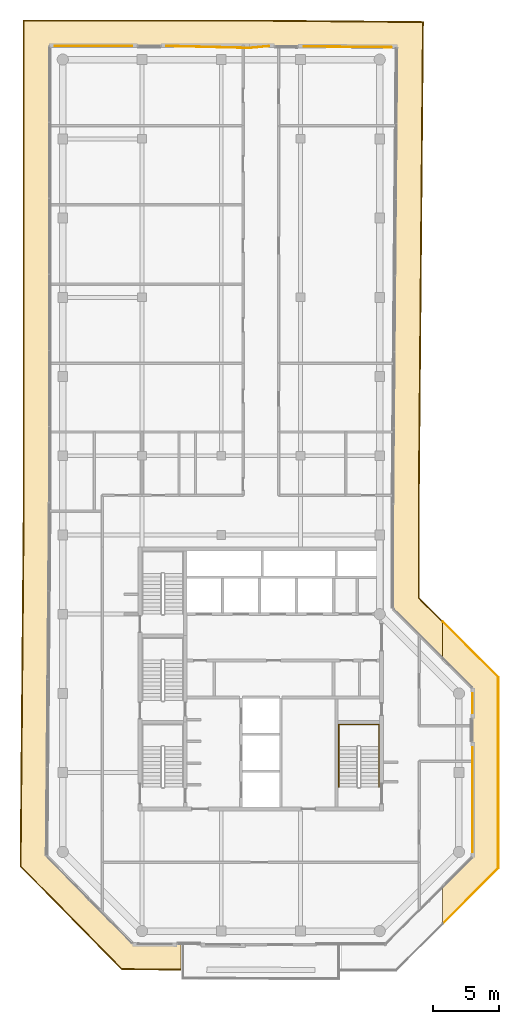
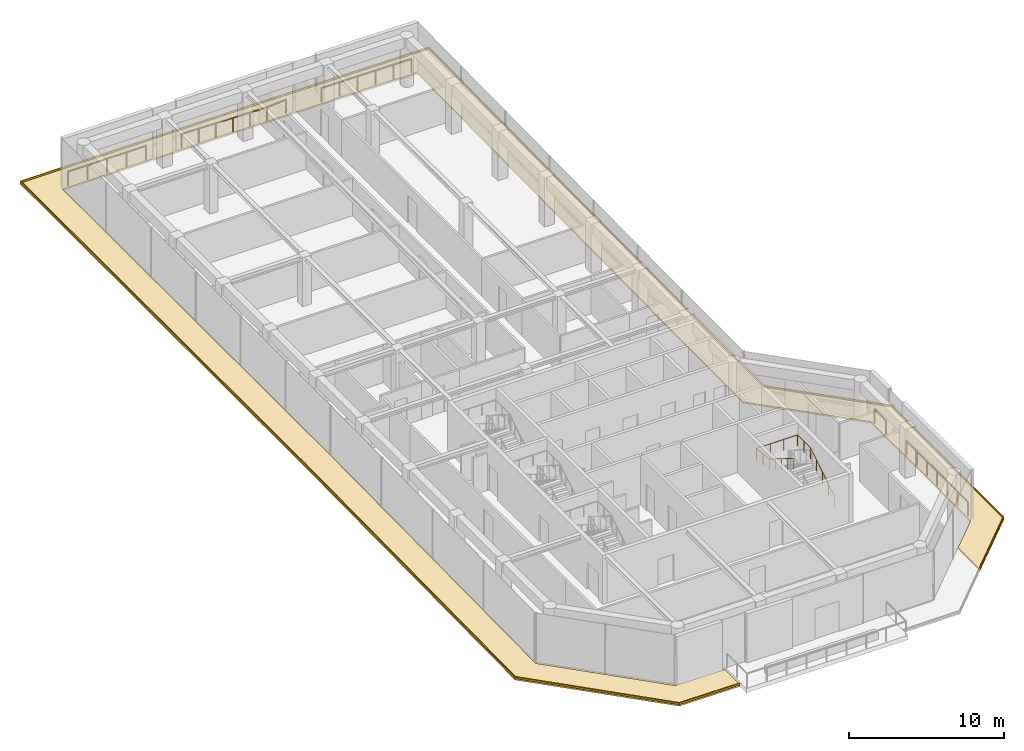
# One storey, part 18 of 18: 6 railings, 4 coverings.
"""IFC4 building model written with IfcOpenShell, lengths in metres."""

import ifcopenshell
import ifcopenshell.guid

model = None  # the IFC model being written
_history = None  # IfcOwnerHistory: only IFC2X3 demands one
_inside = {}  # id of a spatial element -> (the spatial element, [elements in it])
_under = {}  # id of a project, library or spatial element -> (it, [spatial elements below it])
_declared = {}  # id of a project -> (the project, [libraries it declares])
_typed = {}  # id of a type object -> (the type object, [elements of that type])
_made_of = {}  # id of a material, layer set ... -> (it, [elements and type objects made of it])


def new_model(schema):
    """Start an empty IFC model of exactly this schema.

    Asked for "IFC4X3", IfcOpenShell would pick the latest addendum, in which some entities
    have other attributes; the version numbers below select the first issue.
    IFC2X3 requires an IfcOwnerHistory on every rooted entity: one is made here for all.
    """
    global model, _history
    if schema == "IFC4X3":
        model = ifcopenshell.file(schema_version=(4, 3, 0, 0))
    else:
        model = ifcopenshell.file(schema=schema)
    _inside.clear()
    _under.clear()
    _declared.clear()
    _typed.clear()
    _made_of.clear()
    _history = None
    if model.schema == "IFC2X3":
        org = make("IfcOrganization", Name="unknown")
        user = make(
            "IfcPersonAndOrganization",
            ThePerson=make("IfcPerson", FamilyName="unknown"),
            TheOrganization=org,
        )
        app = make(
            "IfcApplication",
            ApplicationDeveloper=org,
            Version="unknown",
            ApplicationFullName="unknown",
            ApplicationIdentifier="unknown",
        )
        _history = make(
            "IfcOwnerHistory",
            OwningUser=user,
            OwningApplication=app,
            ChangeAction="ADDED",
            CreationDate=0,
        )
    return model


def make(cls, **values):
    """One entity of the class cls with the attributes given. An attribute that is None is left unset."""
    return model.create_entity(
        cls, **{name: value for name, value in values.items() if value is not None}
    )


def rooted(cls, **values):
    """An entity with a GlobalId (a new one), such as an element, a storey or a relation."""
    return make(cls, GlobalId=ifcopenshell.guid.new(), OwnerHistory=_history, **values)


def si_unit(unit_type, name, prefix=None):
    """IfcSIUnit, for example si_unit("LENGTHUNIT", "METRE", prefix="MILLI")."""
    return make("IfcSIUnit", UnitType=unit_type, Prefix=prefix, Name=name)


def assignment(units):
    """IfcUnitAssignment: the units of a project."""
    return None if units is None else make("IfcUnitAssignment", Units=units)


def point(xyz):
    """IfcCartesianPoint."""
    return None if xyz is None else make("IfcCartesianPoint", Coordinates=xyz)


def direction(xyz):
    """IfcDirection."""
    return None if xyz is None else make("IfcDirection", DirectionRatios=xyz)


def frame(location, z_axis=None, x_axis=None):
    """IfcAxis2Placement3D, a coordinate frame: its origin and axes. An axis left out is left unset."""
    return make(
        "IfcAxis2Placement3D",
        Location=point(location),
        Axis=direction(z_axis),
        RefDirection=direction(x_axis),
    )


def frame_2d(location, x_axis=None):
    """IfcAxis2Placement2D, a coordinate frame in the plane: its origin and x axis."""
    return make(
        "IfcAxis2Placement2D", Location=point(location), RefDirection=direction(x_axis)
    )


def origin():
    """The frame at (0, 0, 0) with its axes left unset."""
    return frame((0.0, 0.0, 0.0))


def origin_2d():
    """The frame at (0, 0) in the plane with its x axis left unset."""
    return frame_2d((0.0, 0.0))


def place(relative_to, where):
    """IfcLocalPlacement: puts the frame where relative to a parent placement (None: the world)."""
    return make(
        "IfcLocalPlacement", PlacementRelTo=relative_to, RelativePlacement=where
    )


def context(
    kind, dimensions, precision=None, world=None, true_north=None, identifier=None
):
    """IfcGeometricRepresentationContext, for example the 3D "Model" context."""
    return make(
        "IfcGeometricRepresentationContext",
        ContextIdentifier=identifier,
        ContextType=kind,
        CoordinateSpaceDimension=dimensions,
        Precision=precision,
        WorldCoordinateSystem=world,
        TrueNorth=true_north,
    )


def subcontext(parent, identifier, kind, view, scale=None):
    """IfcGeometricRepresentationSubContext, for example "Body" below "Model"."""
    return make(
        "IfcGeometricRepresentationSubContext",
        ContextIdentifier=identifier,
        ContextType=kind,
        ParentContext=parent,
        TargetScale=scale,
        TargetView=view,
    )


def project(units=None, contexts=None):
    """IfcProject with its units and contexts."""
    return rooted(
        "IfcProject",
        Name="project",
        RepresentationContexts=contexts,
        UnitsInContext=assignment(units),
    )


def spatial(cls, under=None, at=None, **own):
    """A site, building, storey or space (cls), placed at a placement, below another one or the project."""
    s = rooted(cls, ObjectPlacement=at, **own)
    if under is not None:
        _under.setdefault(under.id(), (under, []))[1].append(s)
    return s


def polyline(points):
    """IfcPolyline through the points."""
    return make("IfcPolyline", Points=[point(p) for p in points])


def profile(cls, at=None, kind="AREA", **sizes):
    """A parametric profile (cls). Its sizes go by their IFC names, for example OverallWidth=200.0."""
    return make(cls, ProfileType=kind, Position=at, **sizes)


def circle(**sizes):
    """IfcCircleProfileDef."""
    return profile("IfcCircleProfileDef", **sizes)


def outline(outer, holes=None, kind="AREA"):
    """IfcArbitraryClosedProfileDef: a profile drawn as a closed curve; with holes, ...WithVoids."""
    if holes is None:
        return make("IfcArbitraryClosedProfileDef", ProfileType=kind, OuterCurve=outer)
    return make(
        "IfcArbitraryProfileDefWithVoids",
        ProfileType=kind,
        OuterCurve=outer,
        InnerCurves=holes,
    )


def extrude(swept, where, along, depth):
    """IfcExtrudedAreaSolid: the profile swept, set in the frame where, extruded along a direction by depth."""
    return make(
        "IfcExtrudedAreaSolid",
        SweptArea=swept,
        Position=where,
        ExtrudedDirection=direction(along),
        Depth=depth,
    )


def shape(context_of_items, identifier, shape_type, items):
    """IfcShapeRepresentation: the items that make up one representation, for example the "Body"."""
    return make(
        "IfcShapeRepresentation",
        ContextOfItems=context_of_items,
        RepresentationIdentifier=identifier,
        RepresentationType=shape_type,
        Items=items,
    )


def material(Name=None, Category=None):
    """IfcMaterial."""
    return make("IfcMaterial", Name=Name, Category=Category)


def layer(
    of_material, thickness, ventilated=None, Name=None, Category=None, Priority=None
):
    """IfcMaterialLayer: one layer of a wall or slab, of a material (None: an air gap)."""
    return make(
        "IfcMaterialLayer",
        Material=of_material,
        LayerThickness=thickness,
        IsVentilated=ventilated,
        Name=Name,
        Category=Category,
        Priority=Priority,
    )


def layer_set(layers, Name=None):
    """IfcMaterialLayerSet."""
    return make("IfcMaterialLayerSet", MaterialLayers=layers, LayerSetName=Name)


def made_of(thing, what):
    """Note that an element or type object is made of a material, layer set ...; save() writes the relation."""
    if what is not None:
        _made_of.setdefault(what.id(), (what, []))[1].append(thing)
    return thing


def type_object(cls, material=None, **own):
    """A type object (cls), such as IfcWallType, which elements share."""
    return made_of(rooted(cls, **own), material)


def element(
    cls,
    number,
    at=None,
    inside=None,
    cuts=None,
    type_object=None,
    material=None,
    context=None,
    identifier="Body",
    shape_type=None,
    held_by="IfcProductDefinitionShape",
    body=None,
    shapes=None,
    **own,
):
    """One element of the class cls, such as IfcWall. Its Tag is "e" and its number.

    at: its placement. inside: the storey or other place that contains it. cuts: it is an
    opening in that element (IfcRelVoidsElement). A single representation is given by context,
    identifier, shape_type and body (its items); several are given by shapes. held_by: the class
    of the entity that holds the representations. save() writes the other relations.
    """
    e = rooted(cls, Tag="e%d" % number, ObjectPlacement=at, **own)
    if body is not None:
        shapes = [shape(context, identifier, shape_type, body)]
    if shapes is not None:
        e.Representation = make(held_by, Representations=shapes)
    if inside is not None:
        _inside.setdefault(inside.id(), (inside, []))[1].append(e)
    if cuts is not None:
        rooted(
            "IfcRelVoidsElement", RelatingBuildingElement=cuts, RelatedOpeningElement=e
        )
    if type_object is not None:
        _typed.setdefault(type_object.id(), (type_object, []))[1].append(e)
    return made_of(e, material)


def aggregate(whole, parts):
    """IfcRelAggregates: a whole, such as a stair, and the parts it consists of."""
    return rooted("IfcRelAggregates", RelatingObject=whole, RelatedObjects=parts)


def save(model, path):
    """Write the relations noted so far, then the file.

    IfcRelAggregates (storeys below a building ...), IfcRelContainedInSpatialStructure (elements
    in a storey), IfcRelDefinesByType, IfcRelAssociatesMaterial and IfcRelDeclares: one each for
    every whole, place, type object, material and project.
    """
    for whole, parts in _under.values():
        aggregate(whole, parts)
    for where, things in _inside.values():
        rooted(
            "IfcRelContainedInSpatialStructure",
            RelatedElements=things,
            RelatingStructure=where,
        )
    for kind, things in _typed.values():
        rooted("IfcRelDefinesByType", RelatedObjects=things, RelatingType=kind)
    for what, things in _made_of.values():
        rooted("IfcRelAssociatesMaterial", RelatedObjects=things, RelatingMaterial=what)
    for by, libraries in _declared.values():
        rooted("IfcRelDeclares", RelatingContext=by, RelatedDefinitions=libraries)
    model.write(path)


model = new_model("IFC4")

# Units and contexts
model_context = context("Model", 3, precision=1e-05, world=origin(), true_north=direction((0.0, 1.0)))
body_context = subcontext(model_context, "Body", "Model", "MODEL_VIEW")
ifc_project = project(units=[si_unit("LENGTHUNIT", "METRE"), si_unit("AREAUNIT", "SQUARE_METRE"), si_unit("VOLUMEUNIT", "CUBIC_METRE"), si_unit("PLANEANGLEUNIT", "RADIAN"), si_unit("MASSUNIT", "GRAM", prefix="KILO")], contexts=[model_context])

# Site, building, storey
site_placement = place(None, origin())
site = spatial("IfcSite", under=ifc_project, at=site_placement, CompositionType="ELEMENT")
building_placement = place(site_placement, origin())
building = spatial("IfcBuilding", under=site, at=building_placement, Name="Welwitschia Terrace Campus", CompositionType="ELEMENT")
storey_placement = place(building_placement, frame((0.0, 0.0, 285.199951171875)))
storey = spatial("IfcBuildingStorey", under=building, at=storey_placement, Name="L63", CompositionType="ELEMENT", Elevation=285.199951171875)

# Railings
ifc_material_1 = material(Name="Stainless steel grade 316", Category="steel")
railing_type_1 = type_object("IfcRailingType", Name="Guard 1100", PredefinedType="GUARDRAIL", material=ifc_material_1)
railing_1_placement = place(storey_placement, frame((-0.580078125, 63.030029296875, 0.0)))
element("IfcRailing", 1, at=railing_1_placement, inside=storey, type_object=railing_type_1, Name="Guard floor edge L63.0", PredefinedType="GUARDRAIL", context=body_context, shape_type="SweptSolid", body=[
    extrude(circle(Radius=0.02392578125, at=origin_2d()), frame((0.0, 0.0, 1.076171875), z_axis=(1.0, 0.0, 0.0), x_axis=(0.0, 1.0, 0.0)), (0.0, 0.0, 1.0), 5.803466796875),
    extrude(circle(Radius=0.02099609375, at=origin_2d()), origin(), (0.0, 0.0, 1.0), 1.052001953125),
    extrude(circle(Radius=0.02099609375, at=origin_2d()), frame((1.450927734375, 0.0, 0.0)), (0.0, 0.0, 1.0), 1.052001953125),
    extrude(circle(Radius=0.02099609375, at=origin_2d()), frame((2.90185546875, 0.0, 0.0)), (0.0, 0.0, 1.0), 1.052001953125),
    extrude(circle(Radius=0.02099609375, at=origin_2d()), frame((4.3525390625, 0.0, 0.0)), (0.0, 0.0, 1.0), 1.052001953125),
    extrude(circle(Radius=0.02099609375, at=origin_2d()), frame((5.803466796875, 0.0, 0.0)), (0.0, 0.0, 1.0), 1.052001953125),
])
railing_2_placement = place(storey_placement, frame((7.870849609375, 63.030029296875, 0.0)))
element("IfcRailing", 2, at=railing_2_placement, inside=storey, type_object=railing_type_1, Name="Guard floor edge L63.2", PredefinedType="GUARDRAIL", context=body_context, shape_type="SweptSolid", body=[
    extrude(circle(Radius=0.02392578125, at=origin_2d()), frame((0.0, 0.0, 1.076171875), z_axis=(0.999711809678, -0.024006199014, 0.0), x_axis=(0.024006199014, 0.999711809678, 0.0)), (0.0, 0.0, 1.0), 6.25439453125),
    extrude(circle(Radius=0.02392578125, at=origin_2d()), frame((6.252685546875, -0.150146484375, 1.076171875), z_axis=(0.995723048446, 0.092388369362, 0.0), x_axis=(-0.092388369362, 0.995723048446, 0.0)), (0.0, 0.0, 1.0), 1.485107421875),
    extrude(circle(Radius=0.02099609375, at=origin_2d()), origin(), (0.0, 0.0, 1.0), 1.052001953125),
    extrude(circle(Radius=0.02099609375, at=origin_2d()), frame((1.25048828125, -0.030029296875, 0.0)), (0.0, 0.0, 1.0), 1.052001953125),
    extrude(circle(Radius=0.02099609375, at=origin_2d()), frame((2.5009765625, -0.06005859375, 0.0)), (0.0, 0.0, 1.0), 1.052001953125),
    extrude(circle(Radius=0.02099609375, at=origin_2d()), frame((3.751708984375, -0.090087890625, 0.0)), (0.0, 0.0, 1.0), 1.052001953125),
    extrude(circle(Radius=0.02099609375, at=origin_2d()), frame((5.002197265625, -0.1201171875, 0.0)), (0.0, 0.0, 1.0), 1.052001953125),
    extrude(circle(Radius=0.02099609375, at=origin_2d()), frame((6.252685546875, -0.150146484375, 0.0)), (0.0, 0.0, 1.0), 1.052001953125),
    extrude(circle(Radius=0.02099609375, at=origin_2d()), frame((7.7314453125, -0.012939453125, 0.0)), (0.0, 0.0, 1.0), 1.052001953125),
])
railing_3_placement = place(storey_placement, frame((18.249755859375, 62.993896484375, 0.0)))
element("IfcRailing", 3, at=railing_3_placement, inside=storey, type_object=railing_type_1, Name="Guard floor edge L63.4", PredefinedType="GUARDRAIL", context=body_context, shape_type="SweptSolid", body=[
    extrude(circle(Radius=0.02392578125, at=origin_2d()), frame((0.0, 0.0, 1.076171875), z_axis=(0.999961944057, -0.008724129606, 0.0), x_axis=(0.008724129606, 0.999961944057, 0.0)), (0.0, 0.0, 1.0), 6.63232421875),
    extrude(circle(Radius=0.02099609375, at=origin_2d()), origin(), (0.0, 0.0, 1.0), 1.052001953125),
    extrude(circle(Radius=0.02099609375, at=origin_2d()), frame((1.326416015625, -0.011474609375, 0.0)), (0.0, 0.0, 1.0), 1.052001953125),
    extrude(circle(Radius=0.02099609375, at=origin_2d()), frame((2.65283203125, -0.023193359375, 0.0)), (0.0, 0.0, 1.0), 1.052001953125),
    extrude(circle(Radius=0.02099609375, at=origin_2d()), frame((3.979248046875, -0.03466796875, 0.0)), (0.0, 0.0, 1.0), 1.052001953125),
    extrude(circle(Radius=0.02099609375, at=origin_2d()), frame((5.3056640625, -0.04638671875, 0.0)), (0.0, 0.0, 1.0), 1.052001953125),
    extrude(circle(Radius=0.02099609375, at=origin_2d()), frame((6.632080078125, -0.057861328125, 0.0)), (0.0, 0.0, 1.0), 1.052001953125),
])
railing_4_placement = place(storey_placement, frame((31.030029296875, 9.8896484375, 0.0)))
element("IfcRailing", 4, at=railing_4_placement, inside=storey, type_object=railing_type_1, Name="Guard floor edge L63.5", PredefinedType="GUARDRAIL", context=body_context, shape_type="SweptSolid", body=[
    extrude(circle(Radius=0.02392578125, at=origin_2d()), frame((0.0, 0.0, 1.076171875), z_axis=(0.0, -1.0, 0.0), x_axis=(1.0, 0.0, 0.0)), (0.0, 0.0, 1.0), 7.892578125),
    extrude(circle(Radius=0.02099609375, at=origin_2d()), origin(), (0.0, 0.0, 1.0), 1.052001953125),
    extrude(circle(Radius=0.02099609375, at=origin_2d()), frame((0.0, -1.3154296875, 0.0)), (0.0, 0.0, 1.0), 1.052001953125),
    extrude(circle(Radius=0.02099609375, at=origin_2d()), frame((0.0, -2.630859375, 0.0)), (0.0, 0.0, 1.0), 1.052001953125),
    extrude(circle(Radius=0.02099609375, at=origin_2d()), frame((0.0, -3.9462890625, 0.0)), (0.0, 0.0, 1.0), 1.052001953125),
    extrude(circle(Radius=0.02099609375, at=origin_2d()), frame((0.0, -5.26171875, 0.0)), (0.0, 0.0, 1.0), 1.052001953125),
    extrude(circle(Radius=0.02099609375, at=origin_2d()), frame((0.0, -6.5771484375, 0.0)), (0.0, 0.0, 1.0), 1.052001953125),
    extrude(circle(Radius=0.02099609375, at=origin_2d()), frame((0.0, -7.892578125, 0.0)), (0.0, 0.0, 1.0), 1.052001953125),
])
railing_5_placement = place(storey_placement, frame((31.030029296875, 14.0029296875, 0.0)))
element("IfcRailing", 5, at=railing_5_placement, inside=storey, type_object=railing_type_1, Name="Guard floor edge L63.6", PredefinedType="GUARDRAIL", context=body_context, shape_type="SweptSolid", body=[
    extrude(circle(Radius=0.02392578125, at=origin_2d()), frame((0.0, 0.0, 1.076171875), z_axis=(0.0, -1.0, 0.0), x_axis=(1.0, 0.0, 0.0)), (0.0, 0.0, 1.0), 1.4658203125),
    extrude(circle(Radius=0.02099609375, at=origin_2d()), origin(), (0.0, 0.0, 1.0), 1.052001953125),
    extrude(circle(Radius=0.02099609375, at=origin_2d()), frame((0.0, -1.4658203125, 0.0)), (0.0, 0.0, 1.0), 1.052001953125),
])
ifc_material_2 = material(Name="Steel S355", Category="steel")
railing_type_2 = type_object("IfcRailingType", Name="Stair handrail 900", PredefinedType="HANDRAIL", material=ifc_material_2)
railing_6_placement = place(storey_placement, frame((23.949951171875, 6.89990234375, 0.175048828125)))
element("IfcRailing", 6, at=railing_6_placement, inside=storey, type_object=railing_type_2, Name="L63 S2 stair handrail", PredefinedType="HANDRAIL", context=body_context, shape_type="SweptSolid", body=[
    extrude(circle(Radius=0.02392578125, at=origin_2d()), frame((0.0, 0.0, 0.8759765625), z_axis=(0.0, 0.847998304005, 0.529998940003), x_axis=(-1.0, 0.0, 0.0)), (0.0, 0.0, 1.0), 3.632080078125),
    extrude(circle(Radius=0.02392578125, at=origin_2d()), frame((0.0, 3.080078125, 2.80078125), z_axis=(0.0, 1.0, 0.0), x_axis=(-1.0, 0.0, 0.0)), (0.0, 0.0, 1.0), 1.669921875),
    extrude(circle(Radius=0.02392578125, at=origin_2d()), frame((0.0, 4.75, 2.80078125), z_axis=(-1.0, 0.0, 0.0), x_axis=(0.0, -1.0, 0.0)), (0.0, 0.0, 1.0), 3.050048828125),
    extrude(circle(Radius=0.02392578125, at=origin_2d()), frame((-3.050048828125, 4.75, 2.80078125), z_axis=(0.0, -0.99455077262, 0.104253348533), x_axis=(1.0, 0.0, 0.0)), (0.0, 0.0, 1.0), 1.678955078125),
    extrude(circle(Radius=0.02392578125, at=origin_2d()), frame((-3.050048828125, 3.080078125, 2.97607421875), z_axis=(0.0, -0.848028513186, 0.529950602248), x_axis=(1.0, 0.0, 0.0)), (0.0, 0.0, 1.0), 3.632080078125),
    extrude(circle(Radius=0.02099609375, at=origin_2d()), origin(), (0.0, 0.0, 1.0), 0.851806640625),
    extrude(circle(Radius=0.02099609375, at=origin_2d()), frame((0.0, 0.77001953125, 0.481201171875)), (0.0, 0.0, 1.0), 0.851806640625),
    extrude(circle(Radius=0.02099609375, at=origin_2d()), frame((0.0, 1.5400390625, 0.96240234375)), (0.0, 0.0, 1.0), 0.851806640625),
    extrude(circle(Radius=0.02099609375, at=origin_2d()), frame((0.0, 2.31005859375, 1.44384765625)), (0.0, 0.0, 1.0), 0.851806640625),
    extrude(circle(Radius=0.02099609375, at=origin_2d()), frame((0.0, 3.080078125, 1.925048828125)), (0.0, 0.0, 1.0), 0.851806640625),
    extrude(circle(Radius=0.02099609375, at=origin_2d()), frame((0.0, 3.9150390625, 1.925048828125)), (0.0, 0.0, 1.0), 0.851806640625),
    extrude(circle(Radius=0.02099609375, at=origin_2d()), frame((0.0, 4.75, 1.925048828125)), (0.0, 0.0, 1.0), 0.851806640625),
    extrude(circle(Radius=0.02099609375, at=origin_2d()), frame((-1.0166015625, 4.75, 1.925048828125)), (0.0, 0.0, 1.0), 0.851806640625),
    extrude(circle(Radius=0.02099609375, at=origin_2d()), frame((-2.033447265625, 4.75, 1.925048828125)), (0.0, 0.0, 1.0), 0.851806640625),
    extrude(circle(Radius=0.02099609375, at=origin_2d()), frame((-3.050048828125, 4.75, 1.925048828125)), (0.0, 0.0, 1.0), 0.851806640625),
    extrude(circle(Radius=0.02099609375, at=origin_2d()), frame((-3.050048828125, 3.9150390625, 2.0126953125)), (0.0, 0.0, 1.0), 0.851806640625),
    extrude(circle(Radius=0.02099609375, at=origin_2d()), frame((-3.050048828125, 3.080078125, 2.10009765625)), (0.0, 0.0, 1.0), 0.851806640625),
    extrude(circle(Radius=0.02099609375, at=origin_2d()), frame((-3.050048828125, 2.31005859375, 2.581298828125)), (0.0, 0.0, 1.0), 0.851806640625),
    extrude(circle(Radius=0.02099609375, at=origin_2d()), frame((-3.050048828125, 1.5400390625, 3.0625)), (0.0, 0.0, 1.0), 0.851806640625),
    extrude(circle(Radius=0.02099609375, at=origin_2d()), frame((-3.050048828125, 0.77001953125, 3.543701171875)), (0.0, 0.0, 1.0), 0.851806640625),
    extrude(circle(Radius=0.02099609375, at=origin_2d()), frame((-3.050048828125, 0.0, 4.02490234375)), (0.0, 0.0, 1.0), 0.851806640625),
])

# Coverings
ifc_material_3 = material(Name="Bronze anodised aluminium", Category="aluminium")
ifc_layer_1 = layer(ifc_material_3, 0.1201171875)
ifc_layer_set_1 = layer_set([ifc_layer_1], Name="Bronze anodised aluminium")
covering_type_1 = type_object("IfcCoveringType", Name="Sunshade band 2000", PredefinedType="USERDEFINED", material=ifc_layer_set_1)
covering_1_placement = place(storey_placement, frame((0.0, 0.0, -0.25)))
element("IfcCovering", 7, at=covering_1_placement, inside=storey, type_object=covering_type_1, Name="SUNSHADE L63.SW0", ObjectType="SUNSHADE", PredefinedType="USERDEFINED", context=body_context, shape_type="SweptSolid", body=[
    extrude(outline(polyline([(27.0, 21.24267578125), (28.7666015625, 19.47607421875), (28.7666015625, 16.6474609375), (25.0, 20.414306640625), (25.0, 28.340087890625), (25.301513671875, 62.902587890625), (14.1240234375, 63.0), (-1.0, 63.0), (-1.0, 28.453369140625), (-1.2333984375, 1.717529296875), (5.294677734375, -4.925537109375), (8.949951171875, -4.95751953125), (8.949951171875, -6.95751953125), (4.448974609375, -6.918212890625), (-3.240478515625, 0.906494140625), (-3.0, 28.462158203125), (-3.0, 65.0), (14.1328125, 65.0), (27.319091796875, 64.885009765625), (27.0, 28.331298828125), (27.0, 21.24267578125)])), origin(), (0.0, 0.0, 1.0), 0.1201171875),
])
covering_2_placement = place(storey_placement, frame((0.0, 0.0, -0.25)))
element("IfcCovering", 8, at=covering_2_placement, inside=storey, type_object=covering_type_1, Name="SUNSHADE L63.SE0", ObjectType="SUNSHADE", PredefinedType="USERDEFINED", context=body_context, shape_type="SweptSolid", body=[
    extrude(outline(polyline([(33.0, 15.24267578125), (33.0, 0.75732421875), (28.7666015625, -3.47607421875), (28.7666015625, -0.6474609375), (31.0, 1.585693359375), (31.0, 14.414306640625), (28.7666015625, 16.6474609375), (28.7666015625, 19.47607421875), (33.0, 15.24267578125)])), origin(), (0.0, 0.0, 1.0), 0.1201171875),
])
ifc_material_4 = material(Name="Bronze anodised aluminium", Category="aluminium")
ifc_layer_2 = layer(ifc_material_4, 0.06005859375)
ifc_layer_set_2 = layer_set([ifc_layer_2], Name="Bronze anodised aluminium")
covering_type_2 = type_object("IfcCoveringType", Name="Sunshade lip 60", PredefinedType="USERDEFINED", material=ifc_layer_set_2)
covering_3_placement = place(storey_placement, frame((0.0, 0.0, -0.1298828125)))
element("IfcCovering", 9, at=covering_3_placement, inside=storey, type_object=covering_type_2, Name="SUNSHADE LIP L63.SW0.0", ObjectType="SUNSHADE", PredefinedType="USERDEFINED", context=body_context, shape_type="SweptSolid", body=[
    extrude(outline(polyline([(28.7666015625, 19.47607421875), (28.7666015625, 19.39111328125), (26.93994140625, 21.2177734375), (26.93994140625, 28.33154296875), (27.258544921875, 64.825439453125), (14.132568359375, 64.93994140625), (-2.93994140625, 64.93994140625), (-2.93994140625, 28.4619140625), (-3.180419921875, 0.930908203125), (4.474365234375, -6.8583984375), (8.949951171875, -6.8974609375), (8.949951171875, -6.95751953125), (4.448974609375, -6.918212890625), (-3.240478515625, 0.906494140625), (-3.0, 28.462158203125), (-3.0, 65.0), (14.1328125, 65.0), (27.319091796875, 64.885009765625), (27.0, 28.331298828125), (27.0, 21.24267578125), (28.7666015625, 19.47607421875)])), origin(), (0.0, 0.0, 1.0), 0.1298828125),
])
covering_4_placement = place(storey_placement, frame((0.0, 0.0, -0.1298828125)))
element("IfcCovering", 10, at=covering_4_placement, inside=storey, type_object=covering_type_2, Name="SUNSHADE LIP L63.SE0.0", ObjectType="SUNSHADE", PredefinedType="USERDEFINED", context=body_context, shape_type="SweptSolid", body=[
    extrude(outline(polyline([(33.0, 0.75732421875), (28.7666015625, -3.47607421875), (28.7666015625, -3.39111328125), (32.93994140625, 0.7822265625), (32.93994140625, 15.2177734375), (28.7666015625, 19.39111328125), (28.7666015625, 19.47607421875), (33.0, 15.24267578125), (33.0, 0.75732421875)])), origin(), (0.0, 0.0, 1.0), 0.1298828125),
])

save(model, "model.ifc")
